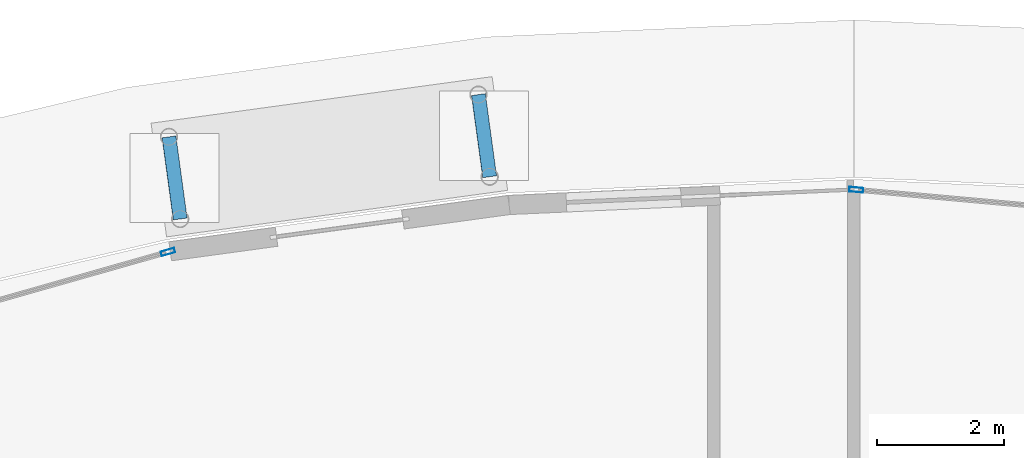
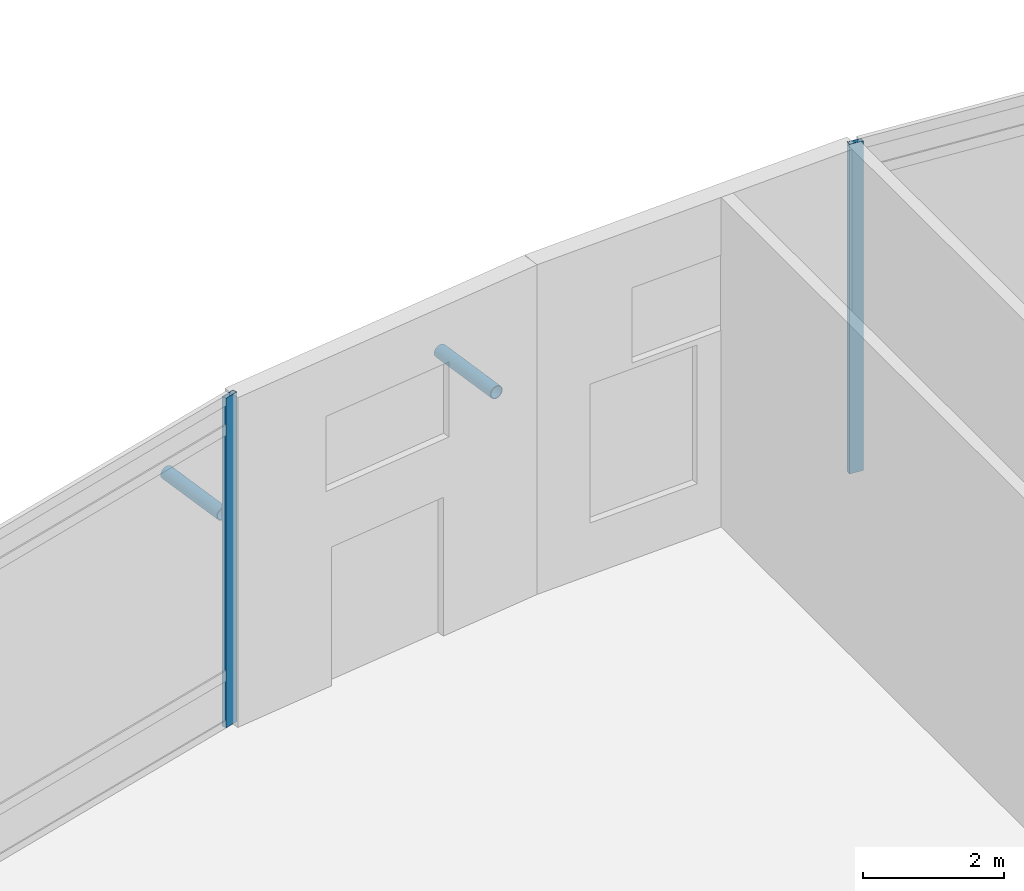
# One storey, part 20 of 40: 4 members, 2 elements without a shape of their own.
"""IFC4 building model written with IfcOpenShell, lengths in metres."""

from ifc_helpers import new_model, si_unit, direction, frame, origin, origin_2d, place, context, subcontext, project, spatial, hollow_rectangle, hollow_circle, extrude, material, layer, layer_set, material_profile, profile_set, type_object, element, aggregate, save


model = new_model("IFC4")

# Units and contexts
model_context = context("Model", 3, precision=1e-05, world=origin(), true_north=direction((0.0, 1.0)))
body_context = subcontext(model_context, "Body", "Model", "MODEL_VIEW")
ifc_project = project(units=[si_unit("LENGTHUNIT", "METRE"), si_unit("AREAUNIT", "SQUARE_METRE"), si_unit("VOLUMEUNIT", "CUBIC_METRE"), si_unit("PLANEANGLEUNIT", "RADIAN"), si_unit("MASSUNIT", "GRAM", prefix="KILO")], contexts=[model_context])

# Site, building, storey
site_placement = place(None, origin())
site = spatial("IfcSite", under=ifc_project, at=site_placement, CompositionType="ELEMENT")
building_placement = place(site_placement, origin())
building = spatial("IfcBuilding", under=site, at=building_placement, Name="Nuhasar Tower", CompositionType="ELEMENT")
storey_placement = place(building_placement, origin())
storey = spatial("IfcBuildingStorey", under=building, at=storey_placement, Name="L00", CompositionType="ELEMENT", Elevation=0.0)

# Members
ifc_material_1 = material(Name="Steel S355", Category="steel")
ifc_material_profile_1 = material_profile(ifc_material_1, hollow_circle(Radius=0.109619140625, WallThickness=0.0126953125, at=origin_2d()), Name="HSS219.1X12.7")
ifc_profile_set_1 = profile_set([ifc_material_profile_1], Name="Steel S355")
member_type_1 = type_object("IfcMemberType", Name="CANOPY-RAFTER-219", PredefinedType="RAFTER", material=ifc_profile_set_1)
member_1_placement = place(storey_placement, frame((33.285888671875, 55.44091796875, 3.25), z_axis=(-0.135213768706, 0.990816449577, 0.0), x_axis=(-0.990816449577, -0.135213768706, 0.0)))
element("IfcMember", 1, at=member_1_placement, inside=storey, type_object=member_type_1, Name="L00 Entrance Canopy Rafter North 1", PredefinedType="RAFTER", context=body_context, shape_type="SweptSolid", body=[
    extrude(hollow_circle(Radius=0.109619140625, WallThickness=0.0126953125, at=origin_2d()), origin(), (0.0, 0.0, 1.0), 1.300048828125),
])
member_2_placement = place(storey_placement, frame((28.430908203125, 54.778076171875, 3.25), z_axis=(-0.135423322335, 0.990787829844, 0.0), x_axis=(-0.990787829844, -0.135423322335, 0.0)))
element("IfcMember", 2, at=member_2_placement, inside=storey, type_object=member_type_1, Name="L00 Entrance Canopy Rafter North 2", PredefinedType="RAFTER", context=body_context, shape_type="SweptSolid", body=[
    extrude(hollow_circle(Radius=0.109619140625, WallThickness=0.0126953125, at=origin_2d()), origin(), (0.0, 0.0, 1.0), 1.2998046875),
])

# Curtain wall, member
ifc_material_2 = material(Name="Aluminium 6063-T6", Category="aluminium")
ifc_layer = layer(ifc_material_2, 0.219970703125)
ifc_layer_set = layer_set([ifc_layer], Name="Aluminium 6063-T6")
curtain_wall_type = type_object("IfcCurtainWallType", Name="CW-PODIUM", PredefinedType="NOTDEFINED", material=ifc_layer_set)
curtain_wall_1_placement = place(storey_placement, origin())
curtain_wall_1 = element("IfcCurtainWall", 3, at=curtain_wall_1_placement, inside=storey, type_object=curtain_wall_type, Name="L00 Podium Curtain Wall Bay 06", PredefinedType="NOTDEFINED")
ifc_material_profile_2 = material_profile(ifc_material_2, hollow_rectangle(XDim=0.074951171875, YDim=0.219970703125, WallThickness=0.0048828125, at=origin_2d()), Name="CWM-1")
ifc_profile_set_2 = profile_set([ifc_material_profile_2], Name="Aluminium 6063-T6")
member_type_2 = type_object("IfcMemberType", Name="CW-MUL-S1", PredefinedType="MULLION", material=ifc_profile_set_2)
member_3_placement = place(storey_placement, frame((39.037353515625, 55.236572265625, 0.0), z_axis=(0.0, 0.0, 1.0), x_axis=(-0.089983128015, -0.995943289888, 0.0)))
member_3 = element("IfcMember", 4, at=member_3_placement, type_object=member_type_2, Name="CW-P1 mullion 2", PredefinedType="MULLION", context=body_context, shape_type="SweptSolid", body=[
    extrude(hollow_rectangle(XDim=0.074951171875, YDim=0.219970703125, WallThickness=0.0048828125, at=origin_2d()), origin(), (0.0, 0.0, 1.0), 5.699951171875),
])
aggregate(curtain_wall_1, [member_3])

curtain_wall_2_placement = place(storey_placement, origin())
curtain_wall_2 = element("IfcCurtainWall", 5, at=curtain_wall_2_placement, inside=storey, type_object=curtain_wall_type, Name="L00 Podium Curtain Wall Bay 08", PredefinedType="NOTDEFINED")
member_4_placement = place(storey_placement, frame((28.239013671875, 54.2607421875, 0.0), z_axis=(0.0, 0.0, 1.0), x_axis=(0.273411675586, -0.961897112821, 0.0)))
member_4 = element("IfcMember", 6, at=member_4_placement, type_object=member_type_2, Name="CW-P1 mullion 1", PredefinedType="MULLION", context=body_context, shape_type="SweptSolid", body=[
    extrude(hollow_rectangle(XDim=0.074951171875, YDim=0.219970703125, WallThickness=0.0048828125, at=origin_2d()), origin(), (0.0, 0.0, 1.0), 5.699951171875),
])
aggregate(curtain_wall_2, [member_4])

save(model, "model.ifc")
